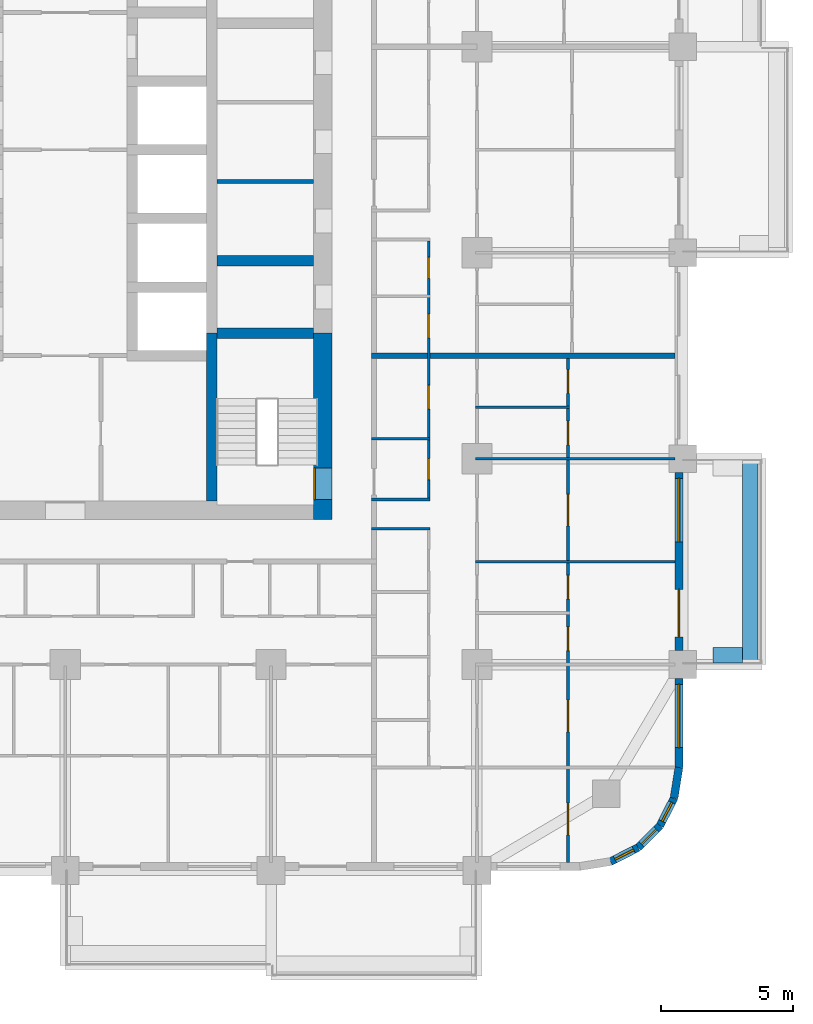
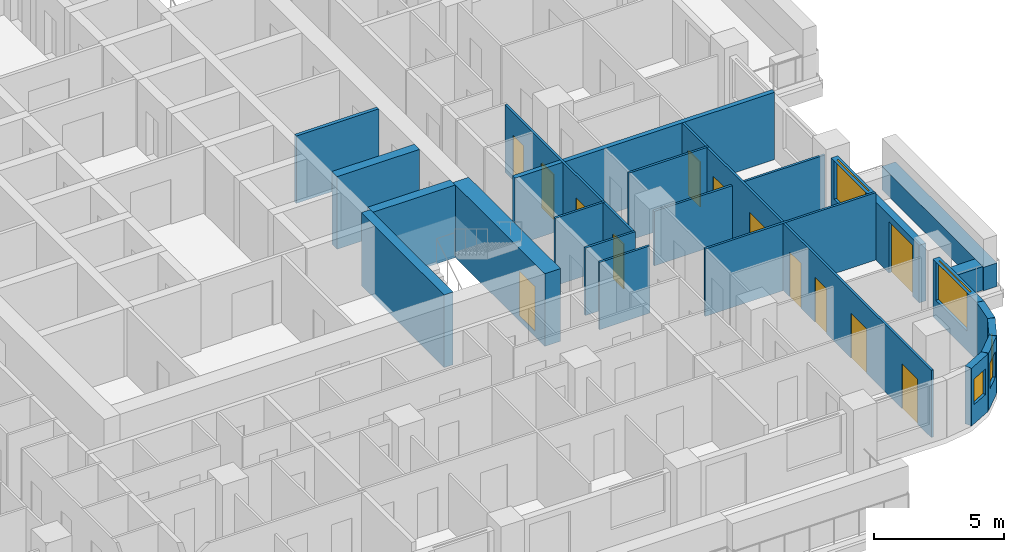
# One storey, part 8 of 18: 22 walls, 13 doors, 5 windows, 18 openings.
"""IFC4 building model written with IfcOpenShell, lengths in metres."""

from ifc_helpers import new_model, si_unit, direction, frame, frame_2d, origin, place, context, subcontext, project, spatial, rectangle, extrude, material, layer, layer_set, type_object, element, fill, save


model = new_model("IFC4")

# Units and contexts
model_context = context("Model", 3, precision=1e-05, world=origin(), true_north=direction((0.0, 1.0)))
body_context = subcontext(model_context, "Body", "Model", "MODEL_VIEW")
ifc_project = project(units=[si_unit("LENGTHUNIT", "METRE"), si_unit("AREAUNIT", "SQUARE_METRE"), si_unit("VOLUMEUNIT", "CUBIC_METRE"), si_unit("PLANEANGLEUNIT", "RADIAN"), si_unit("MASSUNIT", "GRAM", prefix="KILO")], contexts=[model_context])

# Site, building, storey
site_placement = place(None, origin())
site = spatial("IfcSite", under=ifc_project, at=site_placement, CompositionType="ELEMENT")
building_placement = place(site_placement, origin())
building = spatial("IfcBuilding", under=site, at=building_placement, Name="Ludao Terraces", CompositionType="ELEMENT")
storey_placement = place(building_placement, frame((0.0, 0.0, 29.699951171875)))
storey = spatial("IfcBuildingStorey", under=building, at=storey_placement, Name="L07", CompositionType="ELEMENT", Elevation=29.699951171875)

# Wall, opening, door
ifc_material_1 = material(Name="Concrete C70", Category="concrete")
ifc_layer_1 = layer(ifc_material_1, 0.699951171875)
ifc_layer_set_1 = layer_set([ifc_layer_1], Name="Core wall 700 C70")
wall_type_1 = type_object("IfcWallType", Name="Core wall 700 C70", PredefinedType="SOLIDWALL", material=ifc_layer_set_1)
wall_1_placement = place(storey_placement, frame((94.75, 54.89990234375, -0.25), z_axis=(0.0, 0.0, 1.0), x_axis=(0.0, 1.0, 0.0)))
wall_1 = element("IfcWall", 1, at=wall_1_placement, inside=storey, type_object=wall_type_1, Name="Core wall L07 outer-E-S3", PredefinedType="SOLIDWALL", context=body_context, shape_type="SweptSolid", body=[
    extrude(rectangle(XDim=7.050048828125, YDim=0.699951171875, at=frame_2d((3.52490234375, 0.0))), origin(), (0.0, 0.0, 1.0), 3.400146484375),
])
opening_1_placement = place(wall_1_placement, frame((0.75, 0.0, 0.25)))
opening_1 = element("IfcOpeningElement", 2, at=opening_1_placement, cuts=wall_1, Name="Opening R02-056", PredefinedType="OPENING", context=body_context, shape_type="SweptSolid", body=[
    extrude(rectangle(XDim=1.199951171875, YDim=2.10009765625, at=frame_2d((0.60009765625, 1.050048828125))), frame((0.0, 0.35986328125, 0.0), z_axis=(0.0, -1.0, 0.0), x_axis=(1.0, 0.0, 0.0)), (0.0, 0.0, 1.0), 0.719970703125),
])
ifc_material_2 = material(Name="Steel Q235", Category="steel")
door_type_1 = type_object("IfcDoorType", Name="INT Stair door 1200", OperationType="DOUBLE_DOOR_SINGLE_SWING", PredefinedType="DOOR", material=ifc_material_2)
door_1_placement = place(opening_1_placement, origin())
door_1 = element("IfcDoor", 3, at=door_1_placement, inside=storey, type_object=door_type_1, Name="DOOR 056", OperationType="DOUBLE_DOOR_SINGLE_SWING", OverallHeight=2.10009765625, OverallWidth=1.199951171875, PredefinedType="DOOR", context=body_context, shape_type="SweptSolid", body=[
    extrude(rectangle(XDim=1.199951171875, YDim=2.10009765625, at=frame_2d((0.60009765625, 1.050048828125))), frame((0.0, 0.3349609375, 0.0), z_axis=(0.0, -1.0, 0.0), x_axis=(1.0, 0.0, 0.0)), (0.0, 0.0, 1.0), 0.050048828125),
])
fill(opening_1, door_1)

# Walls
ifc_material_3 = material(Name="Concrete C40", Category="concrete")
ifc_layer_2 = layer(ifc_material_3, 0.60009765625)
ifc_layer_set_2 = layer_set([ifc_layer_2], Name="ENV Planter trough 600")
wall_type_2 = type_object("IfcWallType", Name="ENV Planter trough 600", PredefinedType="USERDEFINED", material=ifc_layer_set_2)
wall_2_placement = place(storey_placement, frame((110.949951171875, 49.39990234375, 0.0), z_axis=(0.0, 0.0, 1.0), x_axis=(0.0, 1.0, 0.0)))
element("IfcWall", 4, at=wall_2_placement, inside=storey, type_object=wall_type_2, Name="PL-L07-E1", ObjectType="PLANTER", PredefinedType="USERDEFINED", context=body_context, shape_type="SweptSolid", body=[
    extrude(rectangle(XDim=7.800048828125, YDim=0.60009765625, at=frame_2d((3.89990234375, 0.0))), origin(), (0.0, 0.0, 1.0), 1.10009765625),
])
wall_3_placement = place(storey_placement, frame((110.64990234375, 49.75, 0.0), z_axis=(0.0, 0.0, 1.0), x_axis=(-1.0, 0.0, 0.0)))
element("IfcWall", 5, at=wall_3_placement, inside=storey, type_object=wall_type_2, Name="PL-L07-E1-SA", ObjectType="PLANTER", PredefinedType="USERDEFINED", context=body_context, shape_type="SweptSolid", body=[
    extrude(rectangle(XDim=1.099853515625, YDim=0.60009765625, at=frame_2d((0.5498046875, 0.0))), origin(), (0.0, 0.0, 1.0), 1.10009765625),
])

# Wall, opening, window
ifc_material_4 = material(Name="Granite cladding", Category="masonry")
ifc_layer_3 = layer(ifc_material_4, 0.0400390625, Category="stone")
ifc_material_5 = material(Name="Mineral wool")
ifc_layer_4 = layer(ifc_material_5, 0.06005859375)
ifc_layer_5 = layer(ifc_material_3, 0.199951171875, Category="concrete")
ifc_layer_set_3 = layer_set([ifc_layer_3, ifc_layer_4, ifc_layer_5], Name="ENV Stone-clad wall 300")
wall_type_3 = type_object("IfcWallType", Name="ENV Stone-clad wall 300", PredefinedType="SOLIDWALL", material=ifc_layer_set_3)
wall_4_placement = place(storey_placement, frame((108.25, 45.5, 0.0), z_axis=(0.0, 0.0, 1.0), x_axis=(0.0, 1.0, 0.0)))
wall_4 = element("IfcWall", 6, at=wall_4_placement, inside=storey, type_object=wall_type_3, Name="EW-L07-E1", PredefinedType="SOLIDWALL", context=body_context, shape_type="SweptSolid", body=[
    extrude(rectangle(XDim=3.375, YDim=0.300048828125, at=frame_2d((1.6875, 0.0))), origin(), (0.0, 0.0, 1.0), 2.699951171875),
])
opening_2_placement = place(wall_4_placement, frame((0.75, 0.0, 0.89990234375)))
opening_2 = element("IfcOpeningElement", 7, at=opening_2_placement, cuts=wall_4, Name="Opening W1", PredefinedType="OPENING", context=body_context, shape_type="SweptSolid", body=[
    extrude(rectangle(XDim=2.39990234375, YDim=1.800048828125, at=frame_2d((1.199951171875, 0.89990234375))), frame((0.0, 0.16015625, 0.0), z_axis=(0.0, -1.0, 0.0), x_axis=(1.0, 0.0, 0.0)), (0.0, 0.0, 1.0), 0.320068359375),
])
ifc_material_6 = material(Name="Clear glass in aluminium frame", Category="aluminium")
ifc_layer_6 = layer(ifc_material_6, 0.06005859375)
ifc_layer_set_4 = layer_set([ifc_layer_6], Name="ENV Window W1 2400x1800")
window_type_1 = type_object("IfcWindowType", Name="ENV Window W1 2400x1800", PartitioningType="DOUBLE_PANEL_VERTICAL", PredefinedType="WINDOW", material=ifc_layer_set_4)
window_1_placement = place(opening_2_placement, origin())
window_1 = element("IfcWindow", 8, at=window_1_placement, inside=storey, type_object=window_type_1, Name="W-L07-E1-1", OverallHeight=1.800048828125, OverallWidth=2.39990234375, PartitioningType="DOUBLE_PANEL_VERTICAL", PredefinedType="WINDOW", context=body_context, shape_type="SweptSolid", body=[
    extrude(rectangle(XDim=2.39990234375, YDim=1.800048828125, at=frame_2d((1.199951171875, 0.89990234375))), frame((0.0, 0.030029296875, 0.0), z_axis=(0.0, -1.0, 0.0), x_axis=(1.0, 0.0, 0.0)), (0.0, 0.0, 1.0), 0.06005859375),
])
fill(opening_2, window_1)

# Wall, openings, door, window
wall_5_placement = place(storey_placement, frame((108.25, 49.925048828125, 0.0), z_axis=(0.0, 0.0, 1.0), x_axis=(0.0, 1.0, 0.0)))
wall_5 = element("IfcWall", 9, at=wall_5_placement, inside=storey, type_object=wall_type_3, Name="EW-L07-E2", PredefinedType="SOLIDWALL", context=body_context, shape_type="SweptSolid", body=[
    extrude(rectangle(XDim=6.75, YDim=0.300048828125, at=frame_2d((3.375, 0.0))), origin(), (0.0, 0.0, 1.0), 2.699951171875),
])
opening_3_placement = place(wall_5_placement, frame((0.52490234375, 0.0, 0.0)))
opening_3 = element("IfcOpeningElement", 10, at=opening_3_placement, cuts=wall_5, Name="Opening BD", PredefinedType="OPENING", context=body_context, shape_type="SweptSolid", body=[
    extrude(rectangle(XDim=1.800048828125, YDim=2.39990234375, at=frame_2d((0.89990234375, 1.199951171875))), frame((0.0, 0.16015625, 0.0), z_axis=(0.0, -1.0, 0.0), x_axis=(1.0, 0.0, 0.0)), (0.0, 0.0, 1.0), 0.320068359375),
])
opening_4_placement = place(wall_5_placement, frame((4.125, 0.0, 0.89990234375)))
opening_4 = element("IfcOpeningElement", 11, at=opening_4_placement, cuts=wall_5, Name="Opening W1", PredefinedType="OPENING", context=body_context, shape_type="SweptSolid", body=[
    extrude(rectangle(XDim=2.39990234375, YDim=1.800048828125, at=frame_2d((1.199951171875, 0.89990234375))), frame((0.0, 0.16015625, 0.0), z_axis=(0.0, -1.0, 0.0), x_axis=(1.0, 0.0, 0.0)), (0.0, 0.0, 1.0), 0.320068359375),
])
ifc_material_7 = material(Name="Aluminium glazed door", Category="aluminium")
ifc_layer_7 = layer(ifc_material_7, 0.06005859375)
ifc_layer_set_5 = layer_set([ifc_layer_7], Name="ENV Balcony door BD 1800x2400")
door_type_2 = type_object("IfcDoorType", Name="ENV Balcony door BD 1800x2400", OperationType="DOUBLE_DOOR_SINGLE_SWING", PredefinedType="DOOR", material=ifc_layer_set_5)
door_2_placement = place(opening_3_placement, origin())
door_2 = element("IfcDoor", 12, at=door_2_placement, inside=storey, type_object=door_type_2, Name="BD-L07-E2-1", OperationType="DOUBLE_DOOR_SINGLE_SWING", OverallHeight=2.39990234375, OverallWidth=1.800048828125, PredefinedType="DOOR", context=body_context, shape_type="SweptSolid", body=[
    extrude(rectangle(XDim=1.800048828125, YDim=2.39990234375, at=frame_2d((0.89990234375, 1.199951171875))), frame((0.0, 0.02490234375, 0.0), z_axis=(0.0, -1.0, 0.0), x_axis=(1.0, 0.0, 0.0)), (0.0, 0.0, 1.0), 0.050048828125),
])
fill(opening_3, door_2)
window_2_placement = place(opening_4_placement, origin())
window_2 = element("IfcWindow", 13, at=window_2_placement, inside=storey, type_object=window_type_1, Name="W-L07-E2-2", OverallHeight=1.800048828125, OverallWidth=2.39990234375, PartitioningType="DOUBLE_PANEL_VERTICAL", PredefinedType="WINDOW", context=body_context, shape_type="SweptSolid", body=[
    extrude(rectangle(XDim=2.39990234375, YDim=1.800048828125, at=frame_2d((1.199951171875, 0.89990234375))), frame((0.0, 0.030029296875, 0.0), z_axis=(0.0, -1.0, 0.0), x_axis=(1.0, 0.0, 0.0)), (0.0, 0.0, 1.0), 0.06005859375),
])
fill(opening_4, window_2)

# Wall, opening, window
wall_6_placement = place(storey_placement, frame((105.65869140625, 41.93359375, 0.0), z_axis=(0.0, 0.0, 1.0), x_axis=(0.890988677504, 0.454025524128, 0.0)))
wall_6 = element("IfcWall", 14, at=wall_6_placement, inside=storey, type_object=wall_type_3, Name="EW-L07-SE2", PredefinedType="SOLIDWALL", context=body_context, shape_type="SweptSolid", body=[
    extrude(rectangle(XDim=1.17333984375, YDim=0.300048828125, at=frame_2d((0.586669921875, 0.0))), origin(), (0.0, 0.0, 1.0), 2.699951171875),
])
opening_5_placement = place(wall_6_placement, frame((0.1865234375, 0.0, 0.89990234375)))
opening_5 = element("IfcOpeningElement", 15, at=opening_5_placement, cuts=wall_6, Name="Opening W3", PredefinedType="OPENING", context=body_context, shape_type="SweptSolid", body=[
    extrude(rectangle(XDim=0.800048828125, YDim=1.199951171875, at=frame_2d((0.39990234375, 0.60009765625))), frame((0.0, 0.16015625, 0.0), z_axis=(0.0, -1.0, 0.0), x_axis=(1.0, 0.0, 0.0)), (0.0, 0.0, 1.0), 0.320068359375),
])
ifc_layer_8 = layer(ifc_material_6, 0.06005859375)
ifc_layer_set_6 = layer_set([ifc_layer_8], Name="ENV Window W3 800x1200")
window_type_2 = type_object("IfcWindowType", Name="ENV Window W3 800x1200", PartitioningType="SINGLE_PANEL", PredefinedType="WINDOW", material=ifc_layer_set_6)
window_3_placement = place(opening_5_placement, origin())
window_3 = element("IfcWindow", 16, at=window_3_placement, inside=storey, type_object=window_type_2, Name="W-L07-SE2", OverallHeight=1.199951171875, OverallWidth=0.800048828125, PartitioningType="SINGLE_PANEL", PredefinedType="WINDOW", context=body_context, shape_type="SweptSolid", body=[
    extrude(rectangle(XDim=0.800048828125, YDim=1.199951171875, at=frame_2d((0.39990234375, 0.60009765625))), frame((0.0, 0.030029296875, 0.0), z_axis=(0.0, -1.0, 0.0), x_axis=(1.0, 0.0, 0.0)), (0.0, 0.0, 1.0), 0.06005859375),
])
fill(opening_5, window_3)

wall_7_placement = place(storey_placement, frame((106.7041015625, 42.46630859375, 0.0), z_axis=(0.0, 0.0, 1.0), x_axis=(0.707106781187, 0.707106781187, 0.0)))
wall_7 = element("IfcWall", 17, at=wall_7_placement, inside=storey, type_object=wall_type_3, Name="EW-L07-SE3", PredefinedType="SOLIDWALL", context=body_context, shape_type="SweptSolid", body=[
    extrude(rectangle(XDim=1.173095703125, YDim=0.300048828125, at=frame_2d((0.58642578125, 0.0))), origin(), (0.0, 0.0, 1.0), 2.699951171875),
])
opening_6_placement = place(wall_7_placement, frame((0.1865234375, 0.0, 0.89990234375)))
opening_6 = element("IfcOpeningElement", 18, at=opening_6_placement, cuts=wall_7, Name="Opening W3", PredefinedType="OPENING", context=body_context, shape_type="SweptSolid", body=[
    extrude(rectangle(XDim=0.800048828125, YDim=1.199951171875, at=frame_2d((0.39990234375, 0.60009765625))), frame((0.0, 0.16015625, 0.0), z_axis=(0.0, -1.0, 0.0), x_axis=(1.0, 0.0, 0.0)), (0.0, 0.0, 1.0), 0.320068359375),
])
window_4_placement = place(opening_6_placement, origin())
window_4 = element("IfcWindow", 19, at=window_4_placement, inside=storey, type_object=window_type_2, Name="W-L07-SE3", OverallHeight=1.199951171875, OverallWidth=0.800048828125, PartitioningType="SINGLE_PANEL", PredefinedType="WINDOW", context=body_context, shape_type="SweptSolid", body=[
    extrude(rectangle(XDim=0.800048828125, YDim=1.199951171875, at=frame_2d((0.39990234375, 0.60009765625))), frame((0.0, 0.030029296875, 0.0), z_axis=(0.0, -1.0, 0.0), x_axis=(1.0, 0.0, 0.0)), (0.0, 0.0, 1.0), 0.06005859375),
])
fill(opening_6, window_4)

wall_8_placement = place(storey_placement, frame((107.53369140625, 43.2958984375, 0.0), z_axis=(0.0, 0.0, 1.0), x_axis=(0.454025524128, 0.890988677504, 0.0)))
wall_8 = element("IfcWall", 20, at=wall_8_placement, inside=storey, type_object=wall_type_3, Name="EW-L07-SE4", PredefinedType="SOLIDWALL", context=body_context, shape_type="SweptSolid", body=[
    extrude(rectangle(XDim=1.17333984375, YDim=0.300048828125, at=frame_2d((0.586669921875, 0.0))), origin(), (0.0, 0.0, 1.0), 2.699951171875),
])
opening_7_placement = place(wall_8_placement, frame((0.1865234375, 0.0, 0.89990234375)))
opening_7 = element("IfcOpeningElement", 21, at=opening_7_placement, cuts=wall_8, Name="Opening W3", PredefinedType="OPENING", context=body_context, shape_type="SweptSolid", body=[
    extrude(rectangle(XDim=0.800048828125, YDim=1.199951171875, at=frame_2d((0.39990234375, 0.60009765625))), frame((0.0, 0.16015625, 0.0), z_axis=(0.0, -1.0, 0.0), x_axis=(1.0, 0.0, 0.0)), (0.0, 0.0, 1.0), 0.320068359375),
])
window_5_placement = place(opening_7_placement, origin())
window_5 = element("IfcWindow", 22, at=window_5_placement, inside=storey, type_object=window_type_2, Name="W-L07-SE4", OverallHeight=1.199951171875, OverallWidth=0.800048828125, PartitioningType="SINGLE_PANEL", PredefinedType="WINDOW", context=body_context, shape_type="SweptSolid", body=[
    extrude(rectangle(XDim=0.800048828125, YDim=1.199951171875, at=frame_2d((0.39990234375, 0.60009765625))), frame((0.0, 0.030029296875, 0.0), z_axis=(0.0, -1.0, 0.0), x_axis=(1.0, 0.0, 0.0)), (0.0, 0.0, 1.0), 0.06005859375),
])
fill(opening_7, window_5)

# Walls
wall_9_placement = place(storey_placement, frame((108.06640625, 44.34130859375, 0.0), z_axis=(0.0, 0.0, 1.0), x_axis=(0.156496880861, 0.987678452879, 0.0)))
element("IfcWall", 23, at=wall_9_placement, inside=storey, type_object=wall_type_3, Name="EW-L07-SE5", PredefinedType="SOLIDWALL", context=body_context, shape_type="SweptSolid", body=[
    extrude(rectangle(XDim=1.173095703125, YDim=0.300048828125, at=frame_2d((0.58642578125, 0.0))), origin(), (0.0, 0.0, 1.0), 2.699951171875),
])
ifc_material_8 = material(Name="Fire-rated gypsum plasterboard", Category="gypsum")
ifc_layer_9 = layer(ifc_material_8, 0.012451171875, Category="gypsum")
ifc_layer_10 = layer(ifc_material_5, 0.10009765625, Name="insulation")
ifc_layer_11 = layer(ifc_material_2, 0.02490234375, Name="stud")
ifc_layer_12 = layer(ifc_material_8, 0.012451171875, Category="gypsum")
ifc_layer_set_7 = layer_set([ifc_layer_9, ifc_layer_10, ifc_layer_11, ifc_layer_12], Name="INT Core partition 150")
wall_type_4 = type_object("IfcWallType", Name="INT Core partition 150", PredefinedType="PARTITIONING", material=ifc_layer_set_7)
wall_10_placement = place(storey_placement, frame((90.75, 67.699951171875, 0.0), z_axis=(0.0, 0.0, 1.0), x_axis=(1.0, 0.0, 0.0)))
element("IfcWall", 24, at=wall_10_placement, inside=storey, type_object=wall_type_4, Name="PW-L07-PW044", PredefinedType="PARTITIONING", context=body_context, shape_type="SweptSolid", body=[
    extrude(rectangle(XDim=3.650146484375, YDim=0.14990234375, at=frame_2d((1.8251953125, 0.0))), origin(), (0.0, 0.0, 1.0), 3.150146484375),
])
ifc_material_9 = material(Name="Gypsum plasterboard", Category="gypsum")
ifc_layer_13 = layer(ifc_material_9, 0.012451171875, Category="gypsum")
ifc_layer_14 = layer(ifc_material_5, 0.06005859375, Name="insulation")
ifc_layer_15 = layer(ifc_material_2, 0.014892578125, Name="stud")
ifc_layer_16 = layer(ifc_material_9, 0.012451171875, Category="gypsum")
ifc_layer_set_8 = layer_set([ifc_layer_13, ifc_layer_14, ifc_layer_15, ifc_layer_16], Name="INT Partition 100")
wall_type_5 = type_object("IfcWallType", Name="INT Partition 100", PredefinedType="PARTITIONING", material=ifc_layer_set_8)
wall_11_placement = place(storey_placement, frame((100.550048828125, 53.300048828125, 0.0), z_axis=(0.0, 0.0, 1.0), x_axis=(1.0, 0.0, 0.0)))
element("IfcWall", 25, at=wall_11_placement, inside=storey, type_object=wall_type_5, Name="PW-L07-PW020", PredefinedType="PARTITIONING", context=body_context, shape_type="SweptSolid", body=[
    extrude(rectangle(XDim=7.550048828125, YDim=0.10009765625, at=frame_2d((3.77490234375, 0.0))), origin(), (0.0, 0.0, 1.0), 3.150146484375),
])
for number, where, z_axis, x_axis, name in (
    (26, (96.60009765625, 54.550048828125, 0.0), (0.0, 0.0, 1.0), (1.0, 0.0, 0.0), "PW-L07-PW021"),
    (27, (96.60009765625, 55.64990234375, 0.0), (0.0, 0.0, 1.0), (1.0, 0.0, 0.0), "PW-L07-PW023"),
):
    element("IfcWall", number, at=place(storey_placement, frame(where, z_axis=z_axis, x_axis=x_axis)), inside=storey, type_object=wall_type_5, Name=name, PredefinedType="PARTITIONING", context=body_context, shape_type="SweptSolid", body=[
        extrude(rectangle(XDim=2.219970703125, YDim=0.10009765625, at=frame_2d((1.10986328125, 0.0))), origin(), (0.0, 0.0, 1.0), 3.150146484375),
    ])
wall_12_placement = place(storey_placement, frame((100.550048828125, 57.199951171875, 0.0), z_axis=(0.0, 0.0, 1.0), x_axis=(1.0, 0.0, 0.0)))
element("IfcWall", 28, at=wall_12_placement, inside=storey, type_object=wall_type_5, Name="PW-L07-PW026", PredefinedType="PARTITIONING", context=body_context, shape_type="SweptSolid", body=[
    extrude(rectangle(XDim=7.550048828125, YDim=0.10009765625, at=frame_2d((3.77490234375, 0.0))), origin(), (0.0, 0.0, 1.0), 2.550048828125),
])
wall_13_placement = place(storey_placement, frame((96.60009765625, 57.949951171875, 0.0), z_axis=(0.0, 0.0, 1.0), x_axis=(1.0, 0.0, 0.0)))
element("IfcWall", 29, at=wall_13_placement, inside=storey, type_object=wall_type_5, Name="PW-L07-PW028", PredefinedType="PARTITIONING", context=body_context, shape_type="SweptSolid", body=[
    extrude(rectangle(XDim=2.219970703125, YDim=0.10009765625, at=frame_2d((1.10986328125, 0.0))), origin(), (0.0, 0.0, 1.0), 3.150146484375),
])
wall_14_placement = place(storey_placement, frame((100.550048828125, 59.14990234375, 0.0), z_axis=(0.0, 0.0, 1.0), x_axis=(1.0, 0.0, 0.0)))
element("IfcWall", 30, at=wall_14_placement, inside=storey, type_object=wall_type_5, Name="PW-L07-PW030", PredefinedType="PARTITIONING", context=body_context, shape_type="SweptSolid", body=[
    extrude(rectangle(XDim=3.550048828125, YDim=0.10009765625, at=frame_2d((1.77490234375, 0.0))), origin(), (0.0, 0.0, 1.0), 3.150146484375),
])

# Wall, openings, doors
wall_15_placement = place(storey_placement, frame((98.77001953125, 55.7001953125, 0.0), z_axis=(0.0, 0.0, 1.0), x_axis=(0.0, 1.0, 0.0)))
wall_15 = element("IfcWall", 31, at=wall_15_placement, inside=storey, type_object=wall_type_5, Name="PW-L07-PW119", PredefinedType="PARTITIONING", context=body_context, shape_type="SweptSolid", body=[
    extrude(rectangle(XDim=9.75, YDim=0.10009765625, at=frame_2d((4.875, 0.0))), origin(), (0.0, 0.0, 1.0), 3.150146484375),
])
opening_8_placement = place(wall_15_placement, frame((0.699951171875, 0.0, 0.0)))
opening_8 = element("IfcOpeningElement", 32, at=opening_8_placement, cuts=wall_15, Name="Opening R02-060", PredefinedType="OPENING", context=body_context, shape_type="SweptSolid", body=[
    extrude(rectangle(XDim=0.800048828125, YDim=2.10009765625, at=frame_2d((0.39990234375, 1.050048828125))), frame((0.0, 0.06005859375, 0.0), z_axis=(0.0, -1.0, 0.0), x_axis=(1.0, 0.0, 0.0)), (0.0, 0.0, 1.0), 0.1201171875),
])
opening_9_placement = place(wall_15_placement, frame((3.375, 0.0, 0.0)))
opening_9 = element("IfcOpeningElement", 33, at=opening_9_placement, cuts=wall_15, Name="Opening R02-066", PredefinedType="OPENING", context=body_context, shape_type="SweptSolid", body=[
    extrude(rectangle(XDim=0.89990234375, YDim=2.10009765625, at=frame_2d((0.449951171875, 1.050048828125))), frame((0.0, 0.06005859375, 0.0), z_axis=(0.0, -1.0, 0.0), x_axis=(1.0, 0.0, 0.0)), (0.0, 0.0, 1.0), 0.1201171875),
])
opening_10_placement = place(wall_15_placement, frame((6.074951171875, 0.0, 0.0)))
opening_10 = element("IfcOpeningElement", 34, at=opening_10_placement, cuts=wall_15, Name="Opening R02-075", PredefinedType="OPENING", context=body_context, shape_type="SweptSolid", body=[
    extrude(rectangle(XDim=0.89990234375, YDim=2.10009765625, at=frame_2d((0.449951171875, 1.050048828125))), frame((0.0, 0.06005859375, 0.0), z_axis=(0.0, -1.0, 0.0), x_axis=(1.0, 0.0, 0.0)), (0.0, 0.0, 1.0), 0.1201171875),
])
opening_11_placement = place(wall_15_placement, frame((8.324951171875, 0.0, 0.0)))
opening_11 = element("IfcOpeningElement", 35, at=opening_11_placement, cuts=wall_15, Name="Opening R02-084", PredefinedType="OPENING", context=body_context, shape_type="SweptSolid", body=[
    extrude(rectangle(XDim=0.800048828125, YDim=2.10009765625, at=frame_2d((0.39990234375, 1.050048828125))), frame((0.0, 0.06005859375, 0.0), z_axis=(0.0, -1.0, 0.0), x_axis=(1.0, 0.0, 0.0)), (0.0, 0.0, 1.0), 0.1201171875),
])
ifc_material_10 = material(Name="Timber door leaf", Category="wood")
door_type_3 = type_object("IfcDoorType", Name="INT Bathroom door 900", OperationType="SINGLE_SWING_LEFT", PredefinedType="DOOR", material=ifc_material_10)
door_3_placement = place(opening_10_placement, origin())
door_3 = element("IfcDoor", 36, at=door_3_placement, inside=storey, type_object=door_type_3, Name="DOOR 075", OperationType="SINGLE_SWING_LEFT", OverallHeight=2.10009765625, OverallWidth=0.89990234375, PredefinedType="DOOR", context=body_context, shape_type="SweptSolid", body=[
    extrude(rectangle(XDim=0.89990234375, YDim=2.10009765625, at=frame_2d((0.449951171875, 1.050048828125))), frame((0.0, 0.02490234375, 0.0), z_axis=(0.0, -1.0, 0.0), x_axis=(1.0, 0.0, 0.0)), (0.0, 0.0, 1.0), 0.050048828125),
])
fill(opening_10, door_3)
door_type_4 = type_object("IfcDoorType", Name="INT Room door 900", OperationType="SINGLE_SWING_LEFT", PredefinedType="DOOR", material=ifc_material_10)
door_4_placement = place(opening_9_placement, origin())
door_4 = element("IfcDoor", 37, at=door_4_placement, inside=storey, type_object=door_type_4, Name="DOOR 066", OperationType="SINGLE_SWING_RIGHT", OverallHeight=2.10009765625, OverallWidth=0.89990234375, PredefinedType="DOOR", context=body_context, shape_type="SweptSolid", body=[
    extrude(rectangle(XDim=0.89990234375, YDim=2.10009765625, at=frame_2d((0.449951171875, 1.050048828125))), frame((0.0, 0.02490234375, 0.0), z_axis=(0.0, -1.0, 0.0), x_axis=(1.0, 0.0, 0.0)), (0.0, 0.0, 1.0), 0.050048828125),
])
fill(opening_9, door_4)
door_type_5 = type_object("IfcDoorType", Name="INT Store door 800", OperationType="SINGLE_SWING_LEFT", PredefinedType="DOOR", material=ifc_material_10)
door_5_placement = place(opening_8_placement, origin())
door_5 = element("IfcDoor", 38, at=door_5_placement, inside=storey, type_object=door_type_5, Name="DOOR 060", OperationType="SINGLE_SWING_LEFT", OverallHeight=2.10009765625, OverallWidth=0.800048828125, PredefinedType="DOOR", context=body_context, shape_type="SweptSolid", body=[
    extrude(rectangle(XDim=0.800048828125, YDim=2.10009765625, at=frame_2d((0.39990234375, 1.050048828125))), frame((0.0, 0.02490234375, 0.0), z_axis=(0.0, -1.0, 0.0), x_axis=(1.0, 0.0, 0.0)), (0.0, 0.0, 1.0), 0.050048828125),
])
fill(opening_8, door_5)
door_6_placement = place(opening_11_placement, origin())
door_6 = element("IfcDoor", 39, at=door_6_placement, inside=storey, type_object=door_type_5, Name="DOOR 084", OperationType="SINGLE_SWING_LEFT", OverallHeight=2.10009765625, OverallWidth=0.800048828125, PredefinedType="DOOR", context=body_context, shape_type="SweptSolid", body=[
    extrude(rectangle(XDim=0.800048828125, YDim=2.10009765625, at=frame_2d((0.39990234375, 1.050048828125))), frame((0.0, 0.02490234375, 0.0), z_axis=(0.0, -1.0, 0.0), x_axis=(1.0, 0.0, 0.0)), (0.0, 0.0, 1.0), 0.050048828125),
])
fill(opening_11, door_6)

wall_16_placement = place(storey_placement, frame((104.050048828125, 41.900146484375, 0.0), z_axis=(0.0, 0.0, 1.0), x_axis=(0.0, 1.0, 0.0)))
wall_16 = element("IfcWall", 40, at=wall_16_placement, inside=storey, type_object=wall_type_5, Name="PW-L07-PW124", PredefinedType="PARTITIONING", context=body_context, shape_type="SweptSolid", body=[
    extrude(rectangle(XDim=19.099853515625, YDim=0.10009765625, at=frame_2d((9.5498046875, 0.0))), origin(), (0.0, 0.0, 1.0), 3.150146484375),
])
opening_12_placement = place(wall_16_placement, frame((1.050048828125, 0.0, 0.0)))
opening_12 = element("IfcOpeningElement", 41, at=opening_12_placement, cuts=wall_16, Name="Opening R02-004", PredefinedType="OPENING", context=body_context, shape_type="SweptSolid", body=[
    extrude(rectangle(XDim=1.199951171875, YDim=2.10009765625, at=frame_2d((0.60009765625, 1.050048828125))), frame((0.0, 0.06005859375, 0.0), z_axis=(0.0, -1.0, 0.0), x_axis=(1.0, 0.0, 0.0)), (0.0, 0.0, 1.0), 0.1201171875),
])
opening_13_placement = place(wall_16_placement, frame((4.949951171875, 0.0, 0.0)))
opening_13 = element("IfcOpeningElement", 42, at=opening_13_placement, cuts=wall_16, Name="Opening R02-021", PredefinedType="OPENING", context=body_context, shape_type="SweptSolid", body=[
    extrude(rectangle(XDim=1.199951171875, YDim=2.10009765625, at=frame_2d((0.60009765625, 1.050048828125))), frame((0.0, 0.06005859375, 0.0), z_axis=(0.0, -1.0, 0.0), x_axis=(1.0, 0.0, 0.0)), (0.0, 0.0, 1.0), 0.1201171875),
])
opening_14_placement = place(wall_16_placement, frame((8.02490234375, 0.0, 0.0)))
opening_14 = element("IfcOpeningElement", 43, at=opening_14_placement, cuts=wall_16, Name="Opening R02-031", PredefinedType="OPENING", context=body_context, shape_type="SweptSolid", body=[
    extrude(rectangle(XDim=0.89990234375, YDim=2.10009765625, at=frame_2d((0.449951171875, 1.050048828125))), frame((0.0, 0.06005859375, 0.0), z_axis=(0.0, -1.0, 0.0), x_axis=(1.0, 0.0, 0.0)), (0.0, 0.0, 1.0), 0.1201171875),
])
opening_15_placement = place(wall_16_placement, frame((9.97509765625, 0.0, 0.0)))
opening_15 = element("IfcOpeningElement", 44, at=opening_15_placement, cuts=wall_16, Name="Opening R02-046", PredefinedType="OPENING", context=body_context, shape_type="SweptSolid", body=[
    extrude(rectangle(XDim=0.89990234375, YDim=2.10009765625, at=frame_2d((0.449951171875, 1.050048828125))), frame((0.0, 0.06005859375, 0.0), z_axis=(0.0, -1.0, 0.0), x_axis=(1.0, 0.0, 0.0)), (0.0, 0.0, 1.0), 0.1201171875),
])
opening_16_placement = place(wall_16_placement, frame((12.75, 0.0, 0.0)))
opening_16 = element("IfcOpeningElement", 45, at=opening_16_placement, cuts=wall_16, Name="Opening R02-055", PredefinedType="OPENING", context=body_context, shape_type="SweptSolid", body=[
    extrude(rectangle(XDim=1.199951171875, YDim=2.10009765625, at=frame_2d((0.60009765625, 1.050048828125))), frame((0.0, 0.06005859375, 0.0), z_axis=(0.0, -1.0, 0.0), x_axis=(1.0, 0.0, 0.0)), (0.0, 0.0, 1.0), 0.1201171875),
])
opening_17_placement = place(wall_16_placement, frame((15.824951171875, 0.0, 0.0)))
opening_17 = element("IfcOpeningElement", 46, at=opening_17_placement, cuts=wall_16, Name="Opening R02-064", PredefinedType="OPENING", context=body_context, shape_type="SweptSolid", body=[
    extrude(rectangle(XDim=0.89990234375, YDim=2.10009765625, at=frame_2d((0.449951171875, 1.050048828125))), frame((0.0, 0.06005859375, 0.0), z_axis=(0.0, -1.0, 0.0), x_axis=(1.0, 0.0, 0.0)), (0.0, 0.0, 1.0), 0.1201171875),
])
opening_18_placement = place(wall_16_placement, frame((17.77490234375, 0.0, 0.0)))
opening_18 = element("IfcOpeningElement", 47, at=opening_18_placement, cuts=wall_16, Name="Opening R02-070", PredefinedType="OPENING", context=body_context, shape_type="SweptSolid", body=[
    extrude(rectangle(XDim=0.89990234375, YDim=2.10009765625, at=frame_2d((0.449951171875, 1.050048828125))), frame((0.0, 0.06005859375, 0.0), z_axis=(0.0, -1.0, 0.0), x_axis=(1.0, 0.0, 0.0)), (0.0, 0.0, 1.0), 0.1201171875),
])
door_7_placement = place(opening_14_placement, origin())
door_7 = element("IfcDoor", 48, at=door_7_placement, inside=storey, type_object=door_type_3, Name="DOOR 031", OperationType="SINGLE_SWING_LEFT", OverallHeight=2.10009765625, OverallWidth=0.89990234375, PredefinedType="DOOR", context=body_context, shape_type="SweptSolid", body=[
    extrude(rectangle(XDim=0.89990234375, YDim=2.10009765625, at=frame_2d((0.449951171875, 1.050048828125))), frame((0.0, 0.02490234375, 0.0), z_axis=(0.0, -1.0, 0.0), x_axis=(1.0, 0.0, 0.0)), (0.0, 0.0, 1.0), 0.050048828125),
])
fill(opening_14, door_7)
door_8_placement = place(opening_17_placement, origin())
door_8 = element("IfcDoor", 49, at=door_8_placement, inside=storey, type_object=door_type_3, Name="DOOR 064", OperationType="SINGLE_SWING_LEFT", OverallHeight=2.10009765625, OverallWidth=0.89990234375, PredefinedType="DOOR", context=body_context, shape_type="SweptSolid", body=[
    extrude(rectangle(XDim=0.89990234375, YDim=2.10009765625, at=frame_2d((0.449951171875, 1.050048828125))), frame((0.0, 0.02490234375, 0.0), z_axis=(0.0, -1.0, 0.0), x_axis=(1.0, 0.0, 0.0)), (0.0, 0.0, 1.0), 0.050048828125),
])
fill(opening_17, door_8)
door_type_6 = type_object("IfcDoorType", Name="INT Double door 1200", OperationType="DOUBLE_DOOR_SINGLE_SWING", PredefinedType="DOOR", material=ifc_material_10)
door_9_placement = place(opening_12_placement, origin())
door_9 = element("IfcDoor", 50, at=door_9_placement, inside=storey, type_object=door_type_6, Name="DOOR 004", OperationType="DOUBLE_DOOR_SINGLE_SWING", OverallHeight=2.10009765625, OverallWidth=1.199951171875, PredefinedType="DOOR", context=body_context, shape_type="SweptSolid", body=[
    extrude(rectangle(XDim=1.199951171875, YDim=2.10009765625, at=frame_2d((0.60009765625, 1.050048828125))), frame((0.0, 0.02490234375, 0.0), z_axis=(0.0, -1.0, 0.0), x_axis=(1.0, 0.0, 0.0)), (0.0, 0.0, 1.0), 0.050048828125),
])
fill(opening_12, door_9)
door_10_placement = place(opening_13_placement, origin())
door_10 = element("IfcDoor", 51, at=door_10_placement, inside=storey, type_object=door_type_6, Name="DOOR 021", OperationType="DOUBLE_DOOR_SINGLE_SWING", OverallHeight=2.10009765625, OverallWidth=1.199951171875, PredefinedType="DOOR", context=body_context, shape_type="SweptSolid", body=[
    extrude(rectangle(XDim=1.199951171875, YDim=2.10009765625, at=frame_2d((0.60009765625, 1.050048828125))), frame((0.0, 0.02490234375, 0.0), z_axis=(0.0, -1.0, 0.0), x_axis=(1.0, 0.0, 0.0)), (0.0, 0.0, 1.0), 0.050048828125),
])
fill(opening_13, door_10)
door_11_placement = place(opening_16_placement, origin())
door_11 = element("IfcDoor", 52, at=door_11_placement, inside=storey, type_object=door_type_6, Name="DOOR 055", OperationType="DOUBLE_DOOR_SINGLE_SWING", OverallHeight=2.10009765625, OverallWidth=1.199951171875, PredefinedType="DOOR", context=body_context, shape_type="SweptSolid", body=[
    extrude(rectangle(XDim=1.199951171875, YDim=2.10009765625, at=frame_2d((0.60009765625, 1.050048828125))), frame((0.0, 0.02490234375, 0.0), z_axis=(0.0, -1.0, 0.0), x_axis=(1.0, 0.0, 0.0)), (0.0, 0.0, 1.0), 0.050048828125),
])
fill(opening_16, door_11)
door_12_placement = place(opening_15_placement, origin())
door_12 = element("IfcDoor", 53, at=door_12_placement, inside=storey, type_object=door_type_4, Name="DOOR 046", OperationType="SINGLE_SWING_RIGHT", OverallHeight=2.10009765625, OverallWidth=0.89990234375, PredefinedType="DOOR", context=body_context, shape_type="SweptSolid", body=[
    extrude(rectangle(XDim=0.89990234375, YDim=2.10009765625, at=frame_2d((0.449951171875, 1.050048828125))), frame((0.0, 0.02490234375, 0.0), z_axis=(0.0, -1.0, 0.0), x_axis=(1.0, 0.0, 0.0)), (0.0, 0.0, 1.0), 0.050048828125),
])
fill(opening_15, door_12)
door_13_placement = place(opening_18_placement, origin())
door_13 = element("IfcDoor", 54, at=door_13_placement, inside=storey, type_object=door_type_4, Name="DOOR 070", OperationType="SINGLE_SWING_LEFT", OverallHeight=2.10009765625, OverallWidth=0.89990234375, PredefinedType="DOOR", context=body_context, shape_type="SweptSolid", body=[
    extrude(rectangle(XDim=0.89990234375, YDim=2.10009765625, at=frame_2d((0.449951171875, 1.050048828125))), frame((0.0, 0.02490234375, 0.0), z_axis=(0.0, -1.0, 0.0), x_axis=(1.0, 0.0, 0.0)), (0.0, 0.0, 1.0), 0.050048828125),
])
fill(opening_18, door_13)

# Walls
ifc_material_11 = material(Name="Autoclaved aerated concrete block B06 A3.5", Category="concrete")
ifc_layer_17 = layer(ifc_material_11, 0.199951171875)
ifc_layer_set_9 = layer_set([ifc_layer_17], Name="INT Party wall 200")
wall_type_6 = type_object("IfcWallType", Name="INT Party wall 200", PredefinedType="PARTITIONING", material=ifc_layer_set_9)
wall_17_placement = place(storey_placement, frame((96.60009765625, 61.10009765625, 0.0), z_axis=(0.0, 0.0, 1.0), x_axis=(1.0, 0.0, 0.0)))
element("IfcWall", 55, at=wall_17_placement, inside=storey, type_object=wall_type_6, Name="PW-L07-PW033", PredefinedType="PARTITIONING", context=body_context, shape_type="SweptSolid", body=[
    extrude(rectangle(XDim=11.5, YDim=0.199951171875, at=frame_2d((5.75, 0.0))), origin(), (0.0, 0.0, 1.0), 3.150146484375),
])
ifc_material_12 = material(Name="Concrete C60", Category="concrete")
ifc_layer_18 = layer(ifc_material_12, 0.39990234375)
ifc_layer_set_10 = layer_set([ifc_layer_18], Name="Shaft wall 400 C60")
wall_type_7 = type_object("IfcWallType", Name="Shaft wall 400 C60", PredefinedType="SOLIDWALL", material=ifc_layer_set_10)
wall_18_placement = place(storey_placement, frame((90.550048828125, 55.60009765625, -0.25), z_axis=(0.0, 0.0, 1.0), x_axis=(0.0, 1.0, 0.0)))
element("IfcWall", 56, at=wall_18_placement, inside=storey, type_object=wall_type_7, Name="Core wall L07 back-E-S3", PredefinedType="SOLIDWALL", context=body_context, shape_type="SweptSolid", body=[
    extrude(rectangle(XDim=6.349853515625, YDim=0.39990234375, at=frame_2d((3.1748046875, 0.0))), origin(), (0.0, 0.0, 1.0), 3.400146484375),
])
for number, where, z_axis, x_axis, name in (
    (57, (90.75, 61.949951171875, -0.25), (0.0, 0.0, 1.0), (1.0, 0.0, 0.0), "Core wall L07 hall-E"),
    (58, (90.75, 64.699951171875, -0.25), (0.0, 0.0, 1.0), (1.0, 0.0, 0.0), "Core wall L07 riser-a-E"),
):
    element("IfcWall", number, at=place(storey_placement, frame(where, z_axis=z_axis, x_axis=x_axis)), inside=storey, type_object=wall_type_7, Name=name, PredefinedType="SOLIDWALL", context=body_context, shape_type="SweptSolid", body=[
        extrude(rectangle(XDim=3.64990234375, YDim=0.39990234375, at=frame_2d((1.824951171875, 0.0))), origin(), (0.0, 0.0, 1.0), 3.400146484375),
    ])

save(model, "model.ifc")
